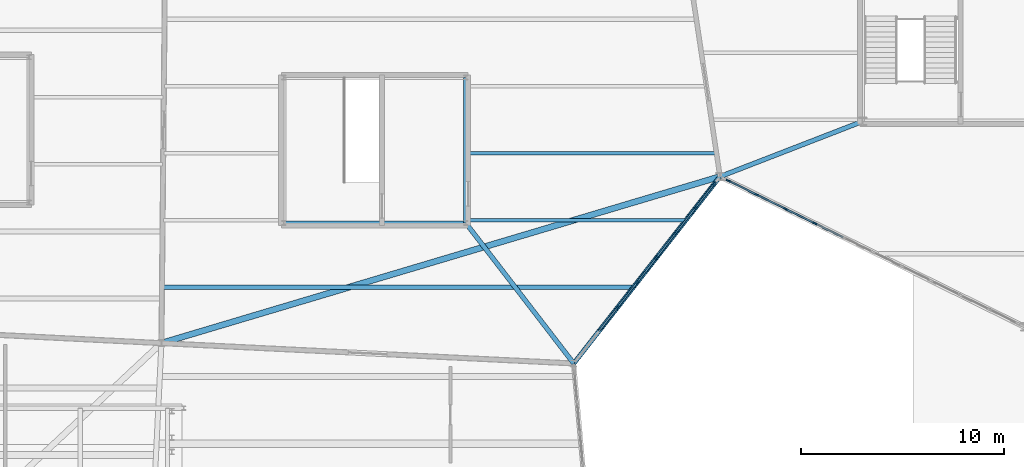
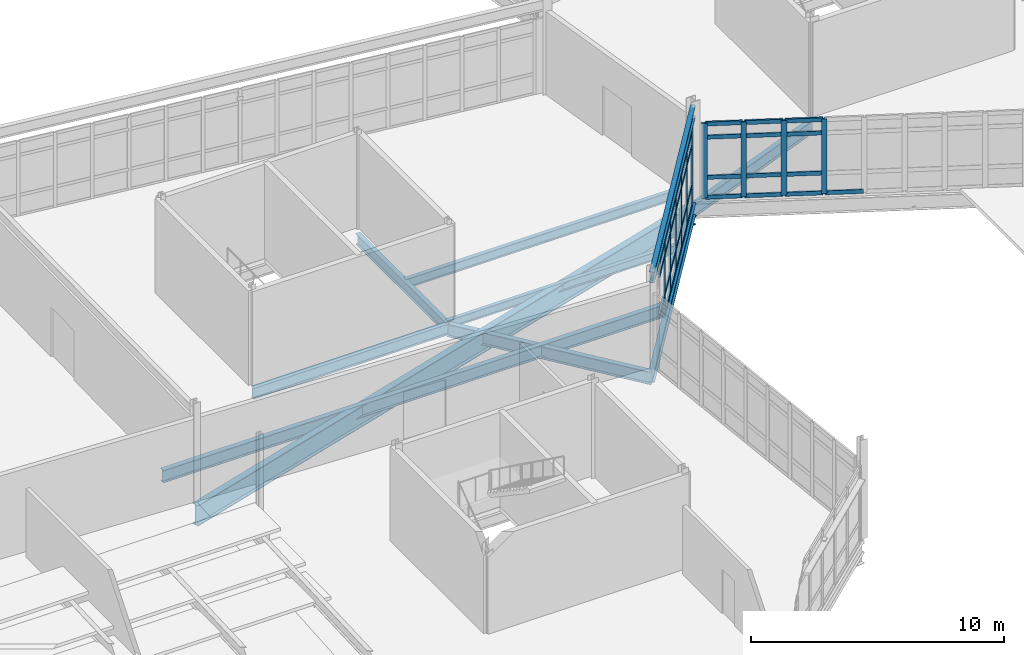
# One storey, part 29 of 134: 46 members, 10 beams, 2 elements without a shape of their own.
"""IFC4 building model written with IfcOpenShell, lengths in metres."""

from ifc_helpers import new_model, si_unit, direction, frame, origin, origin_2d, place, context, subcontext, project, spatial, rectangle, i_section, extrude, material, material_profile, profile_set, type_object, element, aggregate, save


model = new_model("IFC4")

# Units and contexts
model_context = context("Model", 3, precision=1e-05, world=origin(), true_north=direction((0.0, 1.0)))
body_context = subcontext(model_context, "Body", "Model", "MODEL_VIEW")
ifc_project = project(units=[si_unit("LENGTHUNIT", "METRE"), si_unit("AREAUNIT", "SQUARE_METRE"), si_unit("VOLUMEUNIT", "CUBIC_METRE"), si_unit("PLANEANGLEUNIT", "RADIAN"), si_unit("MASSUNIT", "GRAM", prefix="KILO")], contexts=[model_context])

# Site, building, storey
site_placement = place(None, origin())
site = spatial("IfcSite", under=ifc_project, at=site_placement, CompositionType="ELEMENT")
building_placement = place(site_placement, origin())
building = spatial("IfcBuilding", under=site, at=building_placement, Name="Tameran Prism Museum", CompositionType="ELEMENT")
storey_placement = place(building_placement, frame((0.0, 0.0, 5.39990234375)))
storey = spatial("IfcBuildingStorey", under=building, at=storey_placement, Name="L01", CompositionType="ELEMENT", Elevation=5.39990234375)

# Beams
ifc_material_1 = material(Name="Steel Grade 300PLUS (300 MPa)", Category="steel")
ifc_material_profile_1 = material_profile(ifc_material_1, i_section(OverallWidth=0.177978515625, OverallDepth=0.403076171875, WebThickness=0.007568359375, FlangeThickness=0.010986328125, FilletRadius=0.011474609375, at=origin_2d()))
ifc_profile_set_1 = profile_set([ifc_material_profile_1])
beam_type_1 = type_object("IfcBeamType", Name="BM-J410B", PredefinedType="JOIST", material=ifc_profile_set_1)
beam_1_placement = place(storey_placement, frame((38.47998046875, 28.050048828125, -0.4013671875), z_axis=(1.0, 0.0, 0.0), x_axis=(0.0, 1.0, 0.0)))
element("IfcBeam", 1, at=beam_1_placement, inside=storey, type_object=beam_type_1, Name="Floor Beam BM-0607", PredefinedType="JOIST", context=body_context, shape_type="SweptSolid", body=[
    extrude(i_section(OverallWidth=0.177978515625, OverallDepth=0.403076171875, WebThickness=0.007568359375, FlangeThickness=0.010986328125, FilletRadius=0.011474609375, at=origin_2d()), origin(), (0.0, 0.0, 1.0), 10.787109375),
])
ifc_material_2 = material(Name="Steel Grade 300PLUS (300 MPa)", Category="steel")
ifc_material_profile_2 = material_profile(ifc_material_2, i_section(OverallWidth=0.18994140625, OverallDepth=0.4541015625, WebThickness=0.008544921875, FlangeThickness=0.0126953125, FilletRadius=0.011474609375, at=origin_2d()))
ifc_profile_set_2 = profile_set([ifc_material_profile_2])
beam_type_2 = type_object("IfcBeamType", Name="BM-J460B", PredefinedType="JOIST", material=ifc_profile_set_2)
beam_2_placement = place(storey_placement, frame((38.47998046875, 31.35009765625, -0.427001953125), z_axis=(1.0, 0.0, 0.0), x_axis=(0.0, 1.0, 0.0)))
element("IfcBeam", 2, at=beam_2_placement, inside=storey, type_object=beam_type_2, Name="Floor Beam BM-0609", PredefinedType="JOIST", context=body_context, shape_type="SweptSolid", body=[
    extrude(i_section(OverallWidth=0.18994140625, OverallDepth=0.4541015625, WebThickness=0.008544921875, FlangeThickness=0.0126953125, FilletRadius=0.011474609375, at=origin_2d()), origin(), (0.0, 0.0, 1.0), 12.305908203125),
])
ifc_material_3 = material(Name="Steel Grade 300PLUS (300 MPa)", Category="steel")
ifc_material_profile_3 = material_profile(ifc_material_3, i_section(OverallWidth=0.208984375, OverallDepth=0.528076171875, WebThickness=0.009521484375, FlangeThickness=0.01318359375, FilletRadius=0.013916015625, at=origin_2d()))
ifc_profile_set_3 = profile_set([ifc_material_profile_3])
beam_type_3 = type_object("IfcBeamType", Name="BM-SP530B", PredefinedType="SPANDREL", material=ifc_profile_set_3)
beam_3_placement = place(storey_placement, frame((43.800048828125, 21.0, 4.256103515625), z_axis=(0.616307698167, 0.787505442, 0.0), x_axis=(-0.787505442, 0.616307698167, 0.0)))
element("IfcBeam", 3, at=beam_3_placement, inside=storey, type_object=beam_type_3, Name="Roof Ring Beam RB-0407", PredefinedType="SPANDREL", context=body_context, shape_type="SweptSolid", body=[
    extrude(i_section(OverallWidth=0.208984375, OverallDepth=0.528076171875, WebThickness=0.009521484375, FlangeThickness=0.01318359375, FilletRadius=0.013916015625, at=origin_2d()), origin(), (0.0, 0.0, 1.0), 11.682373046875),
])
beam_4_placement = place(storey_placement, frame((29.52001953125, 27.919921875, -0.50390625), z_axis=(1.0, 0.0, 0.0), x_axis=(0.0, 1.0, 0.0)))
element("IfcBeam", 4, at=beam_4_placement, inside=storey, type_object=beam_type_3, Name="Core Ring Beam CTB-0482", PredefinedType="SPANDREL", context=body_context, shape_type="SweptSolid", body=[
    extrude(i_section(OverallWidth=0.208984375, OverallDepth=0.528076171875, WebThickness=0.009521484375, FlangeThickness=0.01318359375, FilletRadius=0.013916015625, at=origin_2d()), origin(), (0.0, 0.0, 1.0), 8.9599609375),
])
beam_5_placement = place(storey_placement, frame((38.47998046875, 27.919921875, -0.50390625), z_axis=(0.0, 1.0, 0.0), x_axis=(-1.0, 0.0, 0.0)))
element("IfcBeam", 5, at=beam_5_placement, inside=storey, type_object=beam_type_3, Name="Core Ring Beam CTB-0483", PredefinedType="SPANDREL", context=body_context, shape_type="SweptSolid", body=[
    extrude(i_section(OverallWidth=0.208984375, OverallDepth=0.528076171875, WebThickness=0.009521484375, FlangeThickness=0.01318359375, FilletRadius=0.013916015625, at=origin_2d()), origin(), (0.0, 0.0, 1.0), 7.16015625),
])
ifc_material_4 = material(Name="Steel Grade 300PLUS (300 MPa)", Category="steel")
ifc_material_profile_4 = material_profile(ifc_material_4, i_section(OverallWidth=0.22802734375, OverallDepth=0.60205078125, WebThickness=0.010498046875, FlangeThickness=0.014892578125, FilletRadius=0.013916015625, at=origin_2d()))
ifc_profile_set_4 = profile_set([ifc_material_profile_4])
beam_type_4 = type_object("IfcBeamType", Name="BM-SP610", PredefinedType="SPANDREL", material=ifc_profile_set_4)
beam_6_placement = place(storey_placement, frame((43.800048828125, 21.0, -0.5009765625), z_axis=(0.616307698167, 0.787505442, 0.0), x_axis=(-0.787505442, 0.616307698167, 0.0)))
element("IfcBeam", 6, at=beam_6_placement, inside=storey, type_object=beam_type_4, Name="Perimeter Spandrel SP-0405", PredefinedType="SPANDREL", context=body_context, shape_type="SweptSolid", body=[
    extrude(i_section(OverallWidth=0.22802734375, OverallDepth=0.60205078125, WebThickness=0.010498046875, FlangeThickness=0.014892578125, FilletRadius=0.013916015625, at=origin_2d()), origin(), (0.0, 0.0, 1.0), 11.682373046875),
])
ifc_material_5 = material(Name="Steel Grade 300PLUS (300 MPa)", Category="steel")
ifc_material_profile_5 = material_profile(ifc_material_5, i_section(OverallWidth=0.22900390625, OverallDepth=0.612060546875, WebThickness=0.011962890625, FlangeThickness=0.01953125, FilletRadius=0.013916015625, at=origin_2d()))
ifc_profile_set_5 = profile_set([ifc_material_profile_5])
beam_type_5 = type_object("IfcBeamType", Name="BM-UB610A", PredefinedType="BEAM", material=ifc_profile_set_5)
beam_7_placement = place(storey_placement, frame((58.02001953125, 32.919921875, -0.559814453125), z_axis=(-0.932454302141, -0.361287938379, 0.0), x_axis=(0.361287938379, -0.932454302141, 0.0)))
element("IfcBeam", 7, at=beam_7_placement, inside=storey, type_object=beam_type_5, Name="Frame Tie Girder FG-1411", PredefinedType="BEAM", context=body_context, shape_type="SweptSolid", body=[
    extrude(i_section(OverallWidth=0.22900390625, OverallDepth=0.612060546875, WebThickness=0.011962890625, FlangeThickness=0.01953125, FilletRadius=0.013916015625, at=origin_2d()), origin(), (0.0, 0.0, 1.0), 7.528564453125),
])
beam_8_placement = place(storey_placement, frame((38.47998046875, 27.919921875, -0.559814453125), z_axis=(0.60949851904, -0.792787206814, 0.0), x_axis=(0.792787206814, 0.60949851904, 0.0)))
element("IfcBeam", 8, at=beam_8_placement, inside=storey, type_object=beam_type_5, Name="Frame Tie Girder FG-1432", PredefinedType="BEAM", context=body_context, shape_type="SweptSolid", body=[
    extrude(i_section(OverallWidth=0.22900390625, OverallDepth=0.612060546875, WebThickness=0.011962890625, FlangeThickness=0.01953125, FilletRadius=0.013916015625, at=origin_2d()), origin(), (0.0, 0.0, 1.0), 8.728515625),
])
ifc_material_6 = material(Name="Steel Grade 300PLUS (300 MPa)", Category="steel")
ifc_material_profile_6 = material_profile(ifc_material_6, i_section(OverallWidth=0.22802734375, OverallDepth=0.60693359375, WebThickness=0.01123046875, FlangeThickness=0.017333984375, FilletRadius=0.013916015625, at=origin_2d()))
ifc_profile_set_6 = profile_set([ifc_material_profile_6])
beam_type_6 = type_object("IfcBeamType", Name="BM-UB610B", PredefinedType="BEAM", material=ifc_profile_set_6)
beam_9_placement = place(storey_placement, frame((23.56591796875, 24.75, -0.50341796875), z_axis=(1.0, 0.0, 0.0), x_axis=(0.0, 1.0, 0.0)))
element("IfcBeam", 9, at=beam_9_placement, inside=storey, type_object=beam_type_6, Name="Floor Beam BM-0605", PredefinedType="BEAM", context=body_context, shape_type="SweptSolid", body=[
    extrude(i_section(OverallWidth=0.22802734375, OverallDepth=0.60693359375, WebThickness=0.01123046875, FlangeThickness=0.017333984375, FilletRadius=0.013916015625, at=origin_2d()), origin(), (0.0, 0.0, 1.0), 23.1181640625),
])
ifc_material_7 = material(Name="Steel Grade 350 (350 MPa)", Category="steel")
ifc_material_profile_7 = material_profile(ifc_material_7, i_section(OverallWidth=0.300048828125, OverallDepth=1.0, WebThickness=0.01611328125, FlangeThickness=0.031982421875, at=origin_2d()))
ifc_profile_set_7 = profile_set([ifc_material_profile_7])
beam_type_7 = type_object("IfcBeamType", Name="BM-WB1000", PredefinedType="BEAM", material=ifc_profile_set_7)
beam_10_placement = place(storey_placement, frame((23.5, 22.0, -0.699951171875), z_axis=(0.958304969171, 0.285747416544, 0.0), x_axis=(-0.285747416544, 0.958304969171, 0.0)))
element("IfcBeam", 10, at=beam_10_placement, inside=storey, type_object=beam_type_7, Name="Primary Vertex Girder PG-0409", PredefinedType="BEAM", context=body_context, shape_type="SweptSolid", body=[
    extrude(i_section(OverallWidth=0.300048828125, OverallDepth=1.0, WebThickness=0.01611328125, FlangeThickness=0.031982421875, at=origin_2d()), origin(), (0.0, 0.0, 1.0), 28.696533203125),
])

# Curtain wall, members
ifc_material_8 = material(Name="Anodised Aluminium 6063-T6 and Cyclone Solar Glass", Category="aluminium")
curtain_wall_type_1 = type_object("IfcCurtainWallType", Name="CW-FAC-1597x362", PredefinedType="USERDEFINED", material=ifc_material_8)
curtain_wall_1_placement = place(storey_placement, origin())
curtain_wall_1 = element("IfcCurtainWall", 11, at=curtain_wall_1_placement, inside=storey, type_object=curtain_wall_type_1, Name="Unitised Curtain Wall CW-062", ObjectType="UNITISED CURTAIN WALL", PredefinedType="USERDEFINED")
ifc_material_9 = material(Name="Anodised Aluminium Alloy 6063-T6", Category="aluminium")
ifc_material_profile_8 = material_profile(ifc_material_9, rectangle(XDim=0.080078125, YDim=0.219970703125, at=origin_2d()))
ifc_profile_set_8 = profile_set([ifc_material_profile_8])
member_type_1 = type_object("IfcMemberType", Name="CW-MUL-D", PredefinedType="MULLION", material=ifc_profile_set_8)
member_1_placement = place(storey_placement, frame((55.663330078125, 27.899169921875, 0.0), z_axis=(0.0, 0.0, 1.0), x_axis=(-0.442396697666, -0.896819470069, 0.0)))
member_1 = element("IfcMember", 12, at=member_1_placement, type_object=member_type_1, Name="CW-062 mullion 8", PredefinedType="MULLION", context=body_context, shape_type="SweptSolid", body=[
    extrude(rectangle(XDim=0.080078125, YDim=0.219970703125, at=origin_2d()), origin(), (0.0, 0.0, 1.0), 3.6201171875),
])
member_2_placement = place(storey_placement, frame((54.231689453125, 28.60546875, 0.0), z_axis=(0.0, 0.0, 1.0), x_axis=(-0.442396697666, -0.896819470069, 0.0)))
member_2 = element("IfcMember", 13, at=member_2_placement, type_object=member_type_1, Name="CW-062 mullion 9", PredefinedType="MULLION", context=body_context, shape_type="SweptSolid", body=[
    extrude(rectangle(XDim=0.080078125, YDim=0.219970703125, at=origin_2d()), origin(), (0.0, 0.0, 1.0), 3.6201171875),
])
member_3_placement = place(storey_placement, frame((52.7998046875, 29.311767578125, 0.0), z_axis=(0.0, 0.0, 1.0), x_axis=(-0.442396697666, -0.896819470069, 0.0)))
member_3 = element("IfcMember", 14, at=member_3_placement, type_object=member_type_1, Name="CW-062 mullion 10", PredefinedType="MULLION", context=body_context, shape_type="SweptSolid", body=[
    extrude(rectangle(XDim=0.080078125, YDim=0.219970703125, at=origin_2d()), origin(), (0.0, 0.0, 1.0), 3.6201171875),
])
member_4_placement = place(storey_placement, frame((51.40380859375, 30.000244140625, 0.0), z_axis=(0.0, 0.0, 1.0), x_axis=(-0.442396697666, -0.896819470069, 0.0)))
member_4 = element("IfcMember", 15, at=member_4_placement, type_object=member_type_1, Name="CW-062 mullion 11", PredefinedType="MULLION", context=body_context, shape_type="SweptSolid", body=[
    extrude(rectangle(XDim=0.080078125, YDim=0.219970703125, at=origin_2d()), origin(), (0.0, 0.0, 1.0), 3.6201171875),
])

ifc_material_10 = material(Name="Anodised Aluminium 6063-T6 and Cyclone Solar Glass", Category="aluminium")
curtain_wall_type_2 = type_object("IfcCurtainWallType", Name="CW-FAC-1086x362", PredefinedType="USERDEFINED", material=ifc_material_10)
curtain_wall_2_placement = place(storey_placement, origin())
curtain_wall_2 = element("IfcCurtainWall", 16, at=curtain_wall_2_placement, inside=storey, type_object=curtain_wall_type_2, Name="Unitised Curtain Wall CW-090", ObjectType="UNITISED CURTAIN WALL", PredefinedType="USERDEFINED")
member_5_placement = place(storey_placement, frame((50.722412109375, 29.845458984375, 0.0), z_axis=(0.0, 0.0, 1.0), x_axis=(0.787524428179, -0.616283437245, 0.0)))
member_5 = element("IfcMember", 17, at=member_5_placement, type_object=member_type_1, Name="CW-090 mullion 1", PredefinedType="MULLION", context=body_context, shape_type="SweptSolid", body=[
    extrude(rectangle(XDim=0.080078125, YDim=0.219970703125, at=origin_2d()), origin(), (0.0, 0.0, 1.0), 3.6201171875),
])
member_6_placement = place(storey_placement, frame((49.790771484375, 28.655029296875, 0.0), z_axis=(0.0, 0.0, 1.0), x_axis=(0.787524428179, -0.616283437245, 0.0)))
member_6 = element("IfcMember", 18, at=member_6_placement, type_object=member_type_1, Name="CW-090 mullion 2", PredefinedType="MULLION", context=body_context, shape_type="SweptSolid", body=[
    extrude(rectangle(XDim=0.080078125, YDim=0.219970703125, at=origin_2d()), origin(), (0.0, 0.0, 1.0), 3.6201171875),
])
member_7_placement = place(storey_placement, frame((48.83447265625, 27.43310546875, 0.0), z_axis=(0.0, 0.0, 1.0), x_axis=(0.787524428179, -0.616283437245, 0.0)))
member_7 = element("IfcMember", 19, at=member_7_placement, type_object=member_type_1, Name="CW-090 mullion 3", PredefinedType="MULLION", context=body_context, shape_type="SweptSolid", body=[
    extrude(rectangle(XDim=0.080078125, YDim=0.219970703125, at=origin_2d()), origin(), (0.0, 0.0, 1.0), 3.6201171875),
])
member_8_placement = place(storey_placement, frame((47.878173828125, 26.2109375, 0.0), z_axis=(0.0, 0.0, 1.0), x_axis=(0.787524428179, -0.616283437245, 0.0)))
member_8 = element("IfcMember", 20, at=member_8_placement, type_object=member_type_1, Name="CW-090 mullion 4", PredefinedType="MULLION", context=body_context, shape_type="SweptSolid", body=[
    extrude(rectangle(XDim=0.080078125, YDim=0.219970703125, at=origin_2d()), origin(), (0.0, 0.0, 1.0), 3.6201171875),
])
member_9_placement = place(storey_placement, frame((46.921875, 24.989013671875, 0.0), z_axis=(0.0, 0.0, 1.0), x_axis=(0.787524428179, -0.616283437245, 0.0)))
member_9 = element("IfcMember", 21, at=member_9_placement, type_object=member_type_1, Name="CW-090 mullion 5", PredefinedType="MULLION", context=body_context, shape_type="SweptSolid", body=[
    extrude(rectangle(XDim=0.080078125, YDim=0.219970703125, at=origin_2d()), origin(), (0.0, 0.0, 1.0), 3.6201171875),
])
member_10_placement = place(storey_placement, frame((45.965576171875, 23.76708984375, 0.0), z_axis=(0.0, 0.0, 1.0), x_axis=(0.787524428179, -0.616283437245, 0.0)))
member_10 = element("IfcMember", 22, at=member_10_placement, type_object=member_type_1, Name="CW-090 mullion 6", PredefinedType="MULLION", context=body_context, shape_type="SweptSolid", body=[
    extrude(rectangle(XDim=0.080078125, YDim=0.219970703125, at=origin_2d()), origin(), (0.0, 0.0, 1.0), 3.6201171875),
])

# Member
ifc_material_11 = material(Name="Anodised Aluminium Alloy 6063-T6", Category="aluminium")
ifc_material_profile_9 = material_profile(ifc_material_11, rectangle(XDim=0.080078125, YDim=0.195068359375, at=origin_2d()))
ifc_profile_set_9 = profile_set([ifc_material_profile_9])
member_type_2 = type_object("IfcMemberType", Name="CW-TRN-D", PredefinedType="USERDEFINED", material=ifc_profile_set_9)
member_11_placement = place(storey_placement, frame((57.059326171875, 27.21044921875, 0.0400390625), z_axis=(-0.896828877657, 0.442377626243, 0.0), x_axis=(-0.442377626243, -0.896828877657, 0.0)))
member_11 = element("IfcMember", 23, at=member_11_placement, type_object=member_type_2, Name="CW-062 transom 7.1", ObjectType="TRANSOM", PredefinedType="USERDEFINED", context=body_context, shape_type="SweptSolid", body=[
    extrude(rectangle(XDim=0.080078125, YDim=0.195068359375, at=origin_2d()), origin(), (0.0, 0.0, 1.0), 1.5166015625),
])

member_12_placement = place(storey_placement, frame((55.62744140625, 27.916748046875, 0.0400390625), z_axis=(-0.896797367048, 0.442441501732, 0.0), x_axis=(-0.442441501732, -0.896797367048, 0.0)))
member_12 = element("IfcMember", 24, at=member_12_placement, type_object=member_type_2, Name="CW-062 transom 8.1", ObjectType="TRANSOM", PredefinedType="USERDEFINED", context=body_context, shape_type="SweptSolid", body=[
    extrude(rectangle(XDim=0.080078125, YDim=0.195068359375, at=origin_2d()), origin(), (0.0, 0.0, 1.0), 1.516357421875),
])

member_13_placement = place(storey_placement, frame((55.62744140625, 27.916748046875, 1.0), z_axis=(-0.896797367048, 0.442441501732, 0.0), x_axis=(-0.442441501732, -0.896797367048, 0.0)))
member_13 = element("IfcMember", 25, at=member_13_placement, type_object=member_type_2, Name="CW-062 transom 8.2", ObjectType="TRANSOM", PredefinedType="USERDEFINED", context=body_context, shape_type="SweptSolid", body=[
    extrude(rectangle(XDim=0.080078125, YDim=0.195068359375, at=origin_2d()), origin(), (0.0, 0.0, 1.0), 1.516357421875),
])

member_14_placement = place(storey_placement, frame((55.62744140625, 27.916748046875, 2.940185546875), z_axis=(-0.896797367048, 0.442441501732, 0.0), x_axis=(-0.442441501732, -0.896797367048, 0.0)))
member_14 = element("IfcMember", 26, at=member_14_placement, type_object=member_type_2, Name="CW-062 transom 8.3", ObjectType="TRANSOM", PredefinedType="USERDEFINED", context=body_context, shape_type="SweptSolid", body=[
    extrude(rectangle(XDim=0.080078125, YDim=0.195068359375, at=origin_2d()), origin(), (0.0, 0.0, 1.0), 1.516357421875),
])

member_15_placement = place(storey_placement, frame((55.62744140625, 27.916748046875, 3.580078125), z_axis=(-0.896797367048, 0.442441501732, 0.0), x_axis=(-0.442441501732, -0.896797367048, 0.0)))
member_15 = element("IfcMember", 27, at=member_15_placement, type_object=member_type_2, Name="CW-062 transom 8.4", ObjectType="TRANSOM", PredefinedType="USERDEFINED", context=body_context, shape_type="SweptSolid", body=[
    extrude(rectangle(XDim=0.080078125, YDim=0.195068359375, at=origin_2d()), origin(), (0.0, 0.0, 1.0), 1.516357421875),
])

member_16_placement = place(storey_placement, frame((54.19580078125, 28.623046875, 0.0400390625), z_axis=(-0.896828877657, 0.442377626243, 0.0), x_axis=(-0.442377626243, -0.896828877657, 0.0)))
member_16 = element("IfcMember", 28, at=member_16_placement, type_object=member_type_2, Name="CW-062 transom 9.1", ObjectType="TRANSOM", PredefinedType="USERDEFINED", context=body_context, shape_type="SweptSolid", body=[
    extrude(rectangle(XDim=0.080078125, YDim=0.195068359375, at=origin_2d()), origin(), (0.0, 0.0, 1.0), 1.5166015625),
])

member_17_placement = place(storey_placement, frame((54.19580078125, 28.623046875, 1.0), z_axis=(-0.896828877657, 0.442377626243, 0.0), x_axis=(-0.442377626243, -0.896828877657, 0.0)))
member_17 = element("IfcMember", 29, at=member_17_placement, type_object=member_type_2, Name="CW-062 transom 9.2", ObjectType="TRANSOM", PredefinedType="USERDEFINED", context=body_context, shape_type="SweptSolid", body=[
    extrude(rectangle(XDim=0.080078125, YDim=0.195068359375, at=origin_2d()), origin(), (0.0, 0.0, 1.0), 1.5166015625),
])

member_18_placement = place(storey_placement, frame((54.19580078125, 28.623046875, 2.940185546875), z_axis=(-0.896828877657, 0.442377626243, 0.0), x_axis=(-0.442377626243, -0.896828877657, 0.0)))
member_18 = element("IfcMember", 30, at=member_18_placement, type_object=member_type_2, Name="CW-062 transom 9.3", ObjectType="TRANSOM", PredefinedType="USERDEFINED", context=body_context, shape_type="SweptSolid", body=[
    extrude(rectangle(XDim=0.080078125, YDim=0.195068359375, at=origin_2d()), origin(), (0.0, 0.0, 1.0), 1.5166015625),
])

member_19_placement = place(storey_placement, frame((54.19580078125, 28.623046875, 3.580078125), z_axis=(-0.896828877657, 0.442377626243, 0.0), x_axis=(-0.442377626243, -0.896828877657, 0.0)))
member_19 = element("IfcMember", 31, at=member_19_placement, type_object=member_type_2, Name="CW-062 transom 9.4", ObjectType="TRANSOM", PredefinedType="USERDEFINED", context=body_context, shape_type="SweptSolid", body=[
    extrude(rectangle(XDim=0.080078125, YDim=0.195068359375, at=origin_2d()), origin(), (0.0, 0.0, 1.0), 1.5166015625),
])

member_20_placement = place(storey_placement, frame((52.763916015625, 29.329345703125, 0.0400390625), z_axis=(-0.896795388349, 0.442445512393, 0.0), x_axis=(-0.442445512393, -0.896795388349, 0.0)))
member_20 = element("IfcMember", 32, at=member_20_placement, type_object=member_type_2, Name="CW-062 transom 10.1", ObjectType="TRANSOM", PredefinedType="USERDEFINED", context=body_context, shape_type="SweptSolid", body=[
    extrude(rectangle(XDim=0.080078125, YDim=0.195068359375, at=origin_2d()), origin(), (0.0, 0.0, 1.0), 1.4765625),
])

member_21_placement = place(storey_placement, frame((52.763916015625, 29.329345703125, 1.0), z_axis=(-0.896795388349, 0.442445512393, 0.0), x_axis=(-0.442445512393, -0.896795388349, 0.0)))
member_21 = element("IfcMember", 33, at=member_21_placement, type_object=member_type_2, Name="CW-062 transom 10.2", ObjectType="TRANSOM", PredefinedType="USERDEFINED", context=body_context, shape_type="SweptSolid", body=[
    extrude(rectangle(XDim=0.080078125, YDim=0.195068359375, at=origin_2d()), origin(), (0.0, 0.0, 1.0), 1.4765625),
])

member_22_placement = place(storey_placement, frame((52.763916015625, 29.329345703125, 2.940185546875), z_axis=(-0.896795388349, 0.442445512393, 0.0), x_axis=(-0.442445512393, -0.896795388349, 0.0)))
member_22 = element("IfcMember", 34, at=member_22_placement, type_object=member_type_2, Name="CW-062 transom 10.3", ObjectType="TRANSOM", PredefinedType="USERDEFINED", context=body_context, shape_type="SweptSolid", body=[
    extrude(rectangle(XDim=0.080078125, YDim=0.195068359375, at=origin_2d()), origin(), (0.0, 0.0, 1.0), 1.4765625),
])

member_23_placement = place(storey_placement, frame((52.763916015625, 29.329345703125, 3.580078125), z_axis=(-0.896795388349, 0.442445512393, 0.0), x_axis=(-0.442445512393, -0.896795388349, 0.0)))
member_23 = element("IfcMember", 35, at=member_23_placement, type_object=member_type_2, Name="CW-062 transom 10.4", ObjectType="TRANSOM", PredefinedType="USERDEFINED", context=body_context, shape_type="SweptSolid", body=[
    extrude(rectangle(XDim=0.080078125, YDim=0.195068359375, at=origin_2d()), origin(), (0.0, 0.0, 1.0), 1.4765625),
])

aggregate(curtain_wall_1, [member_1, member_2, member_3, member_4, member_11, member_12, member_13, member_14, member_15, member_16, member_17, member_18, member_19, member_20, member_21, member_22, member_23])

member_24_placement = place(storey_placement, frame((50.69775390625, 29.81396484375, 0.0400390625), z_axis=(-0.616299065337, -0.787512198042, 0.0), x_axis=(0.787512198042, -0.616299065337, 0.0)))
member_24 = element("IfcMember", 36, at=member_24_placement, type_object=member_type_2, Name="CW-090 transom 1.1", ObjectType="TRANSOM", PredefinedType="USERDEFINED", context=body_context, shape_type="SweptSolid", body=[
    extrude(rectangle(XDim=0.080078125, YDim=0.195068359375, at=origin_2d()), origin(), (0.0, 0.0, 1.0), 1.431640625),
])

member_25_placement = place(storey_placement, frame((50.69775390625, 29.81396484375, 1.0), z_axis=(-0.616299065337, -0.787512198042, 0.0), x_axis=(0.787512198042, -0.616299065337, 0.0)))
member_25 = element("IfcMember", 37, at=member_25_placement, type_object=member_type_2, Name="CW-090 transom 1.2", ObjectType="TRANSOM", PredefinedType="USERDEFINED", context=body_context, shape_type="SweptSolid", body=[
    extrude(rectangle(XDim=0.080078125, YDim=0.195068359375, at=origin_2d()), origin(), (0.0, 0.0, 1.0), 1.431640625),
])

member_26_placement = place(storey_placement, frame((50.69775390625, 29.81396484375, 2.940185546875), z_axis=(-0.616299065337, -0.787512198042, 0.0), x_axis=(0.787512198042, -0.616299065337, 0.0)))
member_26 = element("IfcMember", 38, at=member_26_placement, type_object=member_type_2, Name="CW-090 transom 1.3", ObjectType="TRANSOM", PredefinedType="USERDEFINED", context=body_context, shape_type="SweptSolid", body=[
    extrude(rectangle(XDim=0.080078125, YDim=0.195068359375, at=origin_2d()), origin(), (0.0, 0.0, 1.0), 1.431640625),
])

member_27_placement = place(storey_placement, frame((50.69775390625, 29.81396484375, 3.580078125), z_axis=(-0.616299065337, -0.787512198042, 0.0), x_axis=(0.787512198042, -0.616299065337, 0.0)))
member_27 = element("IfcMember", 39, at=member_27_placement, type_object=member_type_2, Name="CW-090 transom 1.4", ObjectType="TRANSOM", PredefinedType="USERDEFINED", context=body_context, shape_type="SweptSolid", body=[
    extrude(rectangle(XDim=0.080078125, YDim=0.195068359375, at=origin_2d()), origin(), (0.0, 0.0, 1.0), 1.431640625),
])

member_28_placement = place(storey_placement, frame((49.76611328125, 28.62353515625, 0.0400390625), z_axis=(-0.616303788484, -0.787508501732, 0.0), x_axis=(0.787508501732, -0.616303788484, 0.0)))
member_28 = element("IfcMember", 40, at=member_28_placement, type_object=member_type_2, Name="CW-090 transom 2.1", ObjectType="TRANSOM", PredefinedType="USERDEFINED", context=body_context, shape_type="SweptSolid", body=[
    extrude(rectangle(XDim=0.080078125, YDim=0.195068359375, at=origin_2d()), origin(), (0.0, 0.0, 1.0), 1.4716796875),
])

member_29_placement = place(storey_placement, frame((49.76611328125, 28.62353515625, 1.0), z_axis=(-0.616303788484, -0.787508501732, 0.0), x_axis=(0.787508501732, -0.616303788484, 0.0)))
member_29 = element("IfcMember", 41, at=member_29_placement, type_object=member_type_2, Name="CW-090 transom 2.2", ObjectType="TRANSOM", PredefinedType="USERDEFINED", context=body_context, shape_type="SweptSolid", body=[
    extrude(rectangle(XDim=0.080078125, YDim=0.195068359375, at=origin_2d()), origin(), (0.0, 0.0, 1.0), 1.4716796875),
])

member_30_placement = place(storey_placement, frame((49.76611328125, 28.62353515625, 2.940185546875), z_axis=(-0.616303788484, -0.787508501732, 0.0), x_axis=(0.787508501732, -0.616303788484, 0.0)))
member_30 = element("IfcMember", 42, at=member_30_placement, type_object=member_type_2, Name="CW-090 transom 2.3", ObjectType="TRANSOM", PredefinedType="USERDEFINED", context=body_context, shape_type="SweptSolid", body=[
    extrude(rectangle(XDim=0.080078125, YDim=0.195068359375, at=origin_2d()), origin(), (0.0, 0.0, 1.0), 1.4716796875),
])

member_31_placement = place(storey_placement, frame((49.76611328125, 28.62353515625, 3.580078125), z_axis=(-0.616303788484, -0.787508501732, 0.0), x_axis=(0.787508501732, -0.616303788484, 0.0)))
member_31 = element("IfcMember", 43, at=member_31_placement, type_object=member_type_2, Name="CW-090 transom 2.4", ObjectType="TRANSOM", PredefinedType="USERDEFINED", context=body_context, shape_type="SweptSolid", body=[
    extrude(rectangle(XDim=0.080078125, YDim=0.195068359375, at=origin_2d()), origin(), (0.0, 0.0, 1.0), 1.4716796875),
])

member_32_placement = place(storey_placement, frame((48.809814453125, 27.401611328125, 0.0400390625), z_axis=(-0.616223279056, -0.787571501738, 0.0), x_axis=(0.787571501738, -0.616223279056, 0.0)))
member_32 = element("IfcMember", 44, at=member_32_placement, type_object=member_type_2, Name="CW-090 transom 3.1", ObjectType="TRANSOM", PredefinedType="USERDEFINED", context=body_context, shape_type="SweptSolid", body=[
    extrude(rectangle(XDim=0.080078125, YDim=0.195068359375, at=origin_2d()), origin(), (0.0, 0.0, 1.0), 1.471923828125),
])

member_33_placement = place(storey_placement, frame((48.809814453125, 27.401611328125, 1.0), z_axis=(-0.616223279056, -0.787571501738, 0.0), x_axis=(0.787571501738, -0.616223279056, 0.0)))
member_33 = element("IfcMember", 45, at=member_33_placement, type_object=member_type_2, Name="CW-090 transom 3.2", ObjectType="TRANSOM", PredefinedType="USERDEFINED", context=body_context, shape_type="SweptSolid", body=[
    extrude(rectangle(XDim=0.080078125, YDim=0.195068359375, at=origin_2d()), origin(), (0.0, 0.0, 1.0), 1.471923828125),
])

member_34_placement = place(storey_placement, frame((48.809814453125, 27.401611328125, 2.940185546875), z_axis=(-0.616223279056, -0.787571501738, 0.0), x_axis=(0.787571501738, -0.616223279056, 0.0)))
member_34 = element("IfcMember", 46, at=member_34_placement, type_object=member_type_2, Name="CW-090 transom 3.3", ObjectType="TRANSOM", PredefinedType="USERDEFINED", context=body_context, shape_type="SweptSolid", body=[
    extrude(rectangle(XDim=0.080078125, YDim=0.195068359375, at=origin_2d()), origin(), (0.0, 0.0, 1.0), 1.471923828125),
])

member_35_placement = place(storey_placement, frame((48.809814453125, 27.401611328125, 3.580078125), z_axis=(-0.616223279056, -0.787571501738, 0.0), x_axis=(0.787571501738, -0.616223279056, 0.0)))
member_35 = element("IfcMember", 47, at=member_35_placement, type_object=member_type_2, Name="CW-090 transom 3.4", ObjectType="TRANSOM", PredefinedType="USERDEFINED", context=body_context, shape_type="SweptSolid", body=[
    extrude(rectangle(XDim=0.080078125, YDim=0.195068359375, at=origin_2d()), origin(), (0.0, 0.0, 1.0), 1.471923828125),
])

member_36_placement = place(storey_placement, frame((47.853515625, 26.179443359375, 0.0400390625), z_axis=(-0.616303788484, -0.787508501732, 0.0), x_axis=(0.787508501732, -0.616303788484, 0.0)))
member_36 = element("IfcMember", 48, at=member_36_placement, type_object=member_type_2, Name="CW-090 transom 4.1", ObjectType="TRANSOM", PredefinedType="USERDEFINED", context=body_context, shape_type="SweptSolid", body=[
    extrude(rectangle(XDim=0.080078125, YDim=0.195068359375, at=origin_2d()), origin(), (0.0, 0.0, 1.0), 1.4716796875),
])

member_37_placement = place(storey_placement, frame((47.853515625, 26.179443359375, 1.0), z_axis=(-0.616303788484, -0.787508501732, 0.0), x_axis=(0.787508501732, -0.616303788484, 0.0)))
member_37 = element("IfcMember", 49, at=member_37_placement, type_object=member_type_2, Name="CW-090 transom 4.2", ObjectType="TRANSOM", PredefinedType="USERDEFINED", context=body_context, shape_type="SweptSolid", body=[
    extrude(rectangle(XDim=0.080078125, YDim=0.195068359375, at=origin_2d()), origin(), (0.0, 0.0, 1.0), 1.4716796875),
])

member_38_placement = place(storey_placement, frame((47.853515625, 26.179443359375, 2.940185546875), z_axis=(-0.616303788484, -0.787508501732, 0.0), x_axis=(0.787508501732, -0.616303788484, 0.0)))
member_38 = element("IfcMember", 50, at=member_38_placement, type_object=member_type_2, Name="CW-090 transom 4.3", ObjectType="TRANSOM", PredefinedType="USERDEFINED", context=body_context, shape_type="SweptSolid", body=[
    extrude(rectangle(XDim=0.080078125, YDim=0.195068359375, at=origin_2d()), origin(), (0.0, 0.0, 1.0), 1.4716796875),
])

member_39_placement = place(storey_placement, frame((47.853515625, 26.179443359375, 3.580078125), z_axis=(-0.616303788484, -0.787508501732, 0.0), x_axis=(0.787508501732, -0.616303788484, 0.0)))
member_39 = element("IfcMember", 51, at=member_39_placement, type_object=member_type_2, Name="CW-090 transom 4.4", ObjectType="TRANSOM", PredefinedType="USERDEFINED", context=body_context, shape_type="SweptSolid", body=[
    extrude(rectangle(XDim=0.080078125, YDim=0.195068359375, at=origin_2d()), origin(), (0.0, 0.0, 1.0), 1.4716796875),
])

member_40_placement = place(storey_placement, frame((46.897216796875, 24.95751953125, 0.0400390625), z_axis=(-0.616303788484, -0.787508501732, 0.0), x_axis=(0.787508501732, -0.616303788484, 0.0)))
member_40 = element("IfcMember", 52, at=member_40_placement, type_object=member_type_2, Name="CW-090 transom 5.1", ObjectType="TRANSOM", PredefinedType="USERDEFINED", context=body_context, shape_type="SweptSolid", body=[
    extrude(rectangle(XDim=0.080078125, YDim=0.195068359375, at=origin_2d()), origin(), (0.0, 0.0, 1.0), 1.4716796875),
])

member_41_placement = place(storey_placement, frame((46.897216796875, 24.95751953125, 1.0), z_axis=(-0.616303788484, -0.787508501732, 0.0), x_axis=(0.787508501732, -0.616303788484, 0.0)))
member_41 = element("IfcMember", 53, at=member_41_placement, type_object=member_type_2, Name="CW-090 transom 5.2", ObjectType="TRANSOM", PredefinedType="USERDEFINED", context=body_context, shape_type="SweptSolid", body=[
    extrude(rectangle(XDim=0.080078125, YDim=0.195068359375, at=origin_2d()), origin(), (0.0, 0.0, 1.0), 1.4716796875),
])

member_42_placement = place(storey_placement, frame((46.897216796875, 24.95751953125, 2.940185546875), z_axis=(-0.616303788484, -0.787508501732, 0.0), x_axis=(0.787508501732, -0.616303788484, 0.0)))
member_42 = element("IfcMember", 54, at=member_42_placement, type_object=member_type_2, Name="CW-090 transom 5.3", ObjectType="TRANSOM", PredefinedType="USERDEFINED", context=body_context, shape_type="SweptSolid", body=[
    extrude(rectangle(XDim=0.080078125, YDim=0.195068359375, at=origin_2d()), origin(), (0.0, 0.0, 1.0), 1.4716796875),
])

member_43_placement = place(storey_placement, frame((46.897216796875, 24.95751953125, 3.580078125), z_axis=(-0.616303788484, -0.787508501732, 0.0), x_axis=(0.787508501732, -0.616303788484, 0.0)))
member_43 = element("IfcMember", 55, at=member_43_placement, type_object=member_type_2, Name="CW-090 transom 5.4", ObjectType="TRANSOM", PredefinedType="USERDEFINED", context=body_context, shape_type="SweptSolid", body=[
    extrude(rectangle(XDim=0.080078125, YDim=0.195068359375, at=origin_2d()), origin(), (0.0, 0.0, 1.0), 1.4716796875),
])

member_44_placement = place(storey_placement, frame((45.94091796875, 23.735595703125, 1.0), z_axis=(-0.616223279056, -0.787571501738, 0.0), x_axis=(0.787571501738, -0.616223279056, 0.0)))
member_44 = element("IfcMember", 56, at=member_44_placement, type_object=member_type_2, Name="CW-090 transom 6.2", ObjectType="TRANSOM", PredefinedType="USERDEFINED", context=body_context, shape_type="SweptSolid", body=[
    extrude(rectangle(XDim=0.080078125, YDim=0.195068359375, at=origin_2d()), origin(), (0.0, 0.0, 1.0), 1.471923828125),
])

member_45_placement = place(storey_placement, frame((45.94091796875, 23.735595703125, 2.940185546875), z_axis=(-0.616223279056, -0.787571501738, 0.0), x_axis=(0.787571501738, -0.616223279056, 0.0)))
member_45 = element("IfcMember", 57, at=member_45_placement, type_object=member_type_2, Name="CW-090 transom 6.3", ObjectType="TRANSOM", PredefinedType="USERDEFINED", context=body_context, shape_type="SweptSolid", body=[
    extrude(rectangle(XDim=0.080078125, YDim=0.195068359375, at=origin_2d()), origin(), (0.0, 0.0, 1.0), 1.471923828125),
])

member_46_placement = place(storey_placement, frame((45.94091796875, 23.735595703125, 3.580078125), z_axis=(-0.616223279056, -0.787571501738, 0.0), x_axis=(0.787571501738, -0.616223279056, 0.0)))
member_46 = element("IfcMember", 58, at=member_46_placement, type_object=member_type_2, Name="CW-090 transom 6.4", ObjectType="TRANSOM", PredefinedType="USERDEFINED", context=body_context, shape_type="SweptSolid", body=[
    extrude(rectangle(XDim=0.080078125, YDim=0.195068359375, at=origin_2d()), origin(), (0.0, 0.0, 1.0), 1.471923828125),
])

aggregate(curtain_wall_2, [member_5, member_6, member_7, member_8, member_9, member_10, member_24, member_25, member_26, member_27, member_28, member_29, member_30, member_31, member_32, member_33, member_34, member_35, member_36, member_37, member_38, member_39, member_40, member_41, member_42, member_43, member_44, member_45, member_46])

save(model, "model.ifc")
